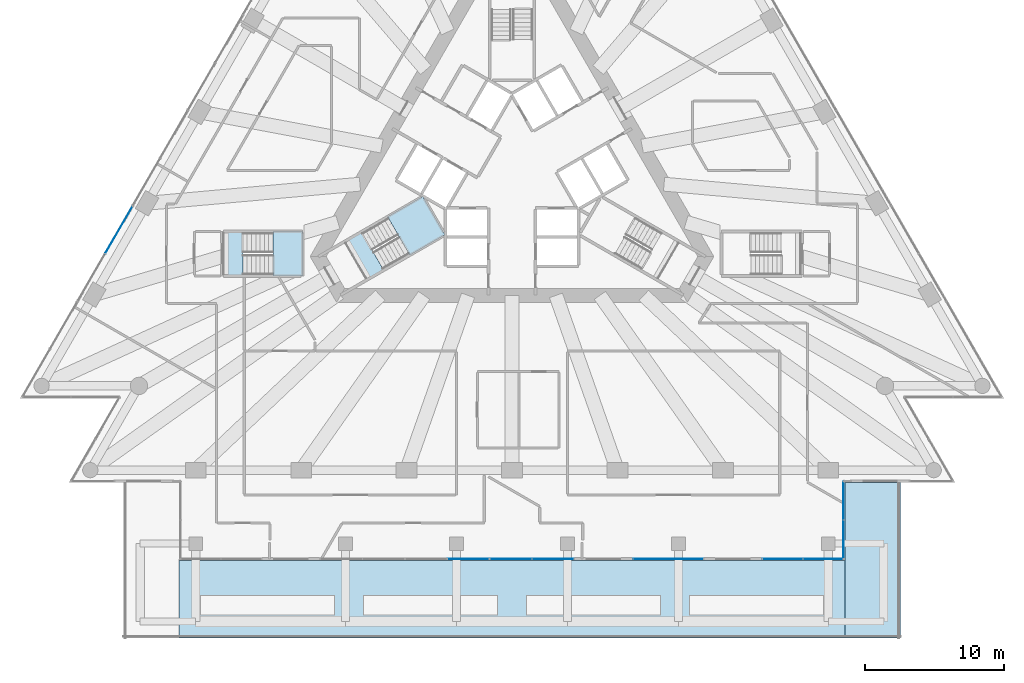
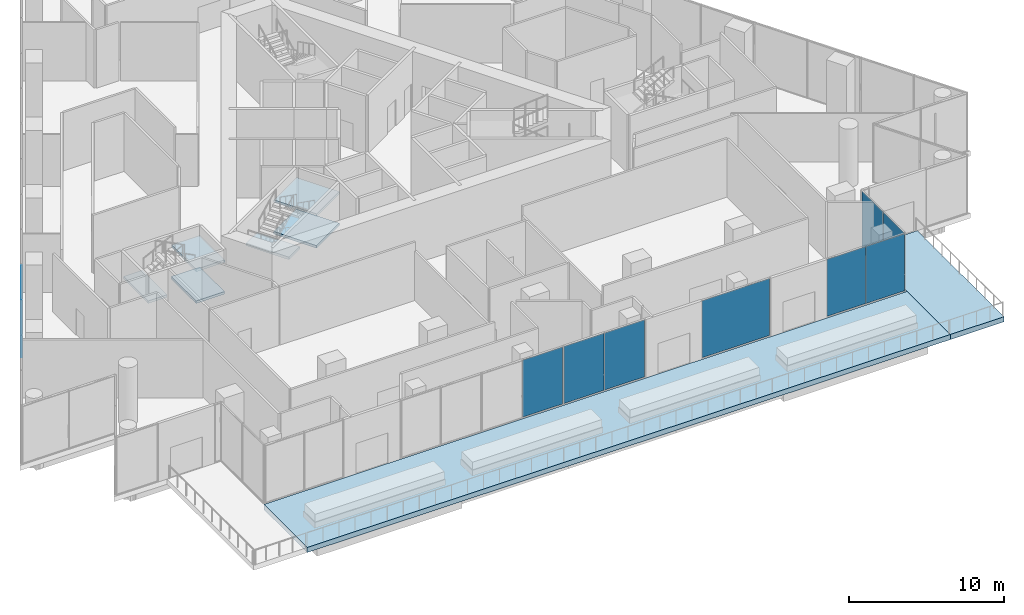
# One storey, part 22 of 32: 9 plates, 8 slabs, 8 elements without a shape of their own.
"""IFC4 building model written with IfcOpenShell, lengths in metres."""

from ifc_helpers import new_model, si_unit, direction, frame, origin, origin_2d, place, context, subcontext, project, spatial, polyline, rectangle, outline, extrude, material, layer, layer_set, layer_usage, type_object, element, aggregate, save


model = new_model("IFC4")

# Units and contexts
model_context = context("Model", 3, precision=1e-05, world=origin(), true_north=direction((0.0, 1.0)))
body_context = subcontext(model_context, "Body", "Model", "MODEL_VIEW")
ifc_project = project(units=[si_unit("LENGTHUNIT", "METRE"), si_unit("AREAUNIT", "SQUARE_METRE"), si_unit("VOLUMEUNIT", "CUBIC_METRE"), si_unit("PLANEANGLEUNIT", "RADIAN"), si_unit("MASSUNIT", "GRAM", prefix="KILO")], contexts=[model_context])

# Site, building, storey
site_placement = place(None, origin())
site = spatial("IfcSite", under=ifc_project, at=site_placement, CompositionType="ELEMENT")
building_placement = place(site_placement, origin())
building = spatial("IfcBuilding", under=site, at=building_placement, Name="Triada Interchange Tower", CompositionType="ELEMENT")
storey_placement = place(building_placement, frame((0.0, 0.0, 25.300048828125)))
storey = spatial("IfcBuildingStorey", under=building, at=storey_placement, Name="L04", CompositionType="ELEMENT", Elevation=25.300048828125)

# Curtain wall, plate
ifc_material_1 = material(Name="Aluminium framed glazing", Category="aluminium")
ifc_layer_1 = layer(ifc_material_1, 0.199951171875)
ifc_layer_set_1 = layer_set([ifc_layer_1], Name="Curtain wall Winter garden glazing")
curtain_wall_type = type_object("IfcCurtainWallType", Name="Curtain wall Winter garden glazing", PredefinedType="NOTDEFINED", material=ifc_layer_set_1)
curtain_wall_1_placement = place(storey_placement, origin())
curtain_wall_1 = element("IfcCurtainWall", 1, at=curtain_wall_1_placement, inside=storey, type_object=curtain_wall_type, Name="Winter garden glazing CW003 L04", PredefinedType="NOTDEFINED")
ifc_material_2 = material(Name="Insulated glazing unit", Category="glass")
ifc_layer_2 = layer(ifc_material_2, 0.02392578125)
ifc_layer_set_2 = layer_set([ifc_layer_2], Name="Glazing panel Winter garden glazing 24")
plate_type = type_object("IfcPlateType", Name="Glazing panel Winter garden glazing 24", PredefinedType="CURTAIN_PANEL", material=ifc_layer_set_2)
plate_1_placement = place(storey_placement, frame((-3.15380859375, -28.0, 0.050048828125), z_axis=(0.0, 0.0, 1.0), x_axis=(1.0, 0.0, 0.0)))
plate_1 = element("IfcPlate", 2, at=plate_1_placement, type_object=plate_type, Name="CW003 panel 2.1", PredefinedType="CURTAIN_PANEL", context=body_context, shape_type="SweptSolid", body=[
    extrude(rectangle(XDim=2.9755859375, YDim=0.02392578125, at=origin_2d()), origin(), (0.0, 0.0, 1.0), 4.5),
])
aggregate(curtain_wall_1, [plate_1])

# Curtain wall, plates
curtain_wall_2_placement = place(storey_placement, origin())
curtain_wall_2 = element("IfcCurtainWall", 3, at=curtain_wall_2_placement, inside=storey, type_object=curtain_wall_type, Name="Winter garden glazing CW004 L04", PredefinedType="NOTDEFINED")
plate_2_placement = place(storey_placement, frame((-0.06689453125, -28.0, 0.050048828125), z_axis=(0.0, 0.0, 1.0), x_axis=(1.0, 0.0, 0.0)))
plate_2 = element("IfcPlate", 4, at=plate_2_placement, type_object=plate_type, Name="CW004 panel 1.1", PredefinedType="CURTAIN_PANEL", context=body_context, shape_type="SweptSolid", body=[
    extrude(rectangle(XDim=2.97802734375, YDim=0.02392578125, at=origin_2d()), origin(), (0.0, 0.0, 1.0), 4.5),
])
plate_3_placement = place(storey_placement, frame((2.9609375, -28.0, 0.050048828125), z_axis=(0.0, 0.0, 1.0), x_axis=(1.0, 0.0, 0.0)))
plate_3 = element("IfcPlate", 5, at=plate_3_placement, type_object=plate_type, Name="CW004 panel 2.1", PredefinedType="CURTAIN_PANEL", context=body_context, shape_type="SweptSolid", body=[
    extrude(rectangle(XDim=2.97802734375, YDim=0.02392578125, at=origin_2d()), origin(), (0.0, 0.0, 1.0), 4.5),
])
aggregate(curtain_wall_2, [plate_2, plate_3])

# Curtain wall, plate
curtain_wall_3_placement = place(storey_placement, origin())
curtain_wall_3 = element("IfcCurtainWall", 6, at=curtain_wall_3_placement, inside=storey, type_object=curtain_wall_type, Name="Winter garden glazing CW005 L04", PredefinedType="NOTDEFINED")
plate_4_placement = place(storey_placement, frame((11.2666015625, -28.0, 0.050048828125), z_axis=(0.0, 0.0, 1.0), x_axis=(1.0, 0.0, 0.0)))
plate_4 = element("IfcPlate", 7, at=plate_4_placement, type_object=plate_type, Name="CW005 panel 1.1", PredefinedType="CURTAIN_PANEL", context=body_context, shape_type="SweptSolid", body=[
    extrude(rectangle(XDim=5.032958984375, YDim=0.02392578125, at=origin_2d()), origin(), (0.0, 0.0, 1.0), 4.5),
])
aggregate(curtain_wall_3, [plate_4])

# Curtain wall, plates
curtain_wall_4_placement = place(storey_placement, origin())
curtain_wall_4 = element("IfcCurtainWall", 8, at=curtain_wall_4_placement, inside=storey, type_object=curtain_wall_type, Name="Winter garden glazing CW006 L04", PredefinedType="NOTDEFINED")
plate_5_placement = place(storey_placement, frame((19.51220703125, -28.0, 0.050048828125), z_axis=(0.0, 0.0, 1.0), x_axis=(1.0, 0.0, 0.0)))
plate_5 = element("IfcPlate", 9, at=plate_5_placement, type_object=plate_type, Name="CW006 panel 1.1", PredefinedType="CURTAIN_PANEL", context=body_context, shape_type="SweptSolid", body=[
    extrude(rectangle(XDim=2.8583984375, YDim=0.02392578125, at=origin_2d()), origin(), (0.0, 0.0, 1.0), 4.5),
])
plate_6_placement = place(storey_placement, frame((22.420654296875, -28.0, 0.050048828125), z_axis=(0.0, 0.0, 1.0), x_axis=(1.0, 0.0, 0.0)))
plate_6 = element("IfcPlate", 10, at=plate_6_placement, type_object=plate_type, Name="CW006 panel 2.1", PredefinedType="CURTAIN_PANEL", context=body_context, shape_type="SweptSolid", body=[
    extrude(rectangle(XDim=2.8583984375, YDim=0.02392578125, at=origin_2d()), origin(), (0.0, 0.0, 1.0), 4.5),
])
aggregate(curtain_wall_4, [plate_5, plate_6])

curtain_wall_5_placement = place(storey_placement, origin())
curtain_wall_5 = element("IfcCurtainWall", 11, at=curtain_wall_5_placement, inside=storey, type_object=curtain_wall_type, Name="Winter garden glazing CW007 L04", PredefinedType="NOTDEFINED")
plate_7_placement = place(storey_placement, frame((23.89990234375, -26.58740234375, 0.050048828125), z_axis=(0.0, 0.0, 1.0), x_axis=(0.0, 1.0, 0.0)))
plate_7 = element("IfcPlate", 12, at=plate_7_placement, type_object=plate_type, Name="CW007 panel 1.1", PredefinedType="CURTAIN_PANEL", context=body_context, shape_type="SweptSolid", body=[
    extrude(rectangle(XDim=2.72509765625, YDim=0.02392578125, at=origin_2d()), origin(), (0.0, 0.0, 1.0), 4.5),
])
plate_8_placement = place(storey_placement, frame((23.89990234375, -23.8125, 0.050048828125), z_axis=(0.0, 0.0, 1.0), x_axis=(0.0, 1.0, 0.0)))
plate_8 = element("IfcPlate", 13, at=plate_8_placement, type_object=plate_type, Name="CW007 panel 2.1", PredefinedType="CURTAIN_PANEL", context=body_context, shape_type="SweptSolid", body=[
    extrude(rectangle(XDim=2.72509765625, YDim=0.02392578125, at=origin_2d()), origin(), (0.0, 0.0, 1.0), 4.5),
])
aggregate(curtain_wall_5, [plate_7, plate_8])

# Curtain wall, plate
curtain_wall_6_placement = place(storey_placement, origin())
curtain_wall_6 = element("IfcCurtainWall", 14, at=curtain_wall_6_placement, inside=storey, type_object=curtain_wall_type, Name="Winter garden glazing CW028 L04", PredefinedType="NOTDEFINED")
plate_9_placement = place(storey_placement, frame((-28.345947265625, -4.2958984375, 0.050048828125), z_axis=(0.0, 0.0, 1.0), x_axis=(-0.499947913852, -0.866055473648, 0.0)))
plate_9 = element("IfcPlate", 15, at=plate_9_placement, type_object=plate_type, Name="CW028 panel 1.1", PredefinedType="CURTAIN_PANEL", context=body_context, shape_type="SweptSolid", body=[
    extrude(rectangle(XDim=3.892333984375, YDim=0.02392578125, at=origin_2d()), origin(), (0.0, 0.0, 1.0), 4.5),
])
aggregate(curtain_wall_6, [plate_9])

# Stair, slabs
ifc_material_3 = material(Name="Concrete C35/45", Category="concrete")
stair_type = type_object("IfcStairType", Name="HALF TURN STAIR 1400", PredefinedType="HALF_TURN_STAIR", material=ifc_material_3)
stair_1_placement = place(storey_placement, origin())
stair_1 = element("IfcStair", 16, at=stair_1_placement, inside=storey, type_object=stair_type, Name="Exit stair S04-2", PredefinedType="HALF_TURN_STAIR")
ifc_layer_3 = layer(ifc_material_3, 0.199951171875)
ifc_layer_set_3 = layer_set([ifc_layer_3], Name="STAIR LANDING 200")
slab_type_1 = type_object("IfcSlabType", Name="STAIR LANDING 200", PredefinedType="LANDING", material=ifc_layer_set_3)
slab_1_placement = place(storey_placement, frame((0.0, 0.0, 1.050048828125)))
slab_1 = element("IfcSlab", 17, at=slab_1_placement, type_object=slab_type_1, Name="S04-2 landing 1", PredefinedType="LANDING", context=body_context, shape_type="SweptSolid", body=[
    extrude(outline(polyline([(-6.428955078125, -1.864013671875), (-8.967041015625, -3.3291015625), (-7.366943359375, -6.10107421875), (-4.8291015625, -4.635986328125), (-6.428955078125, -1.864013671875)])), origin(), (0.0, 0.0, 1.0), 0.199951171875),
])
slab_2_placement = place(storey_placement, frame((0.0, 0.0, 3.550048828125)))
slab_2 = element("IfcSlab", 18, at=slab_2_placement, type_object=slab_type_1, Name="S04-2 landing 2", PredefinedType="LANDING", context=body_context, shape_type="SweptSolid", body=[
    extrude(outline(polyline([(-6.428955078125, -1.864013671875), (-8.967041015625, -3.3291015625), (-7.366943359375, -6.10107421875), (-4.8291015625, -4.635986328125), (-6.428955078125, -1.864013671875)])), origin(), (0.0, 0.0, 1.0), 0.199951171875),
])
slab_3_placement = place(storey_placement, frame((0.0, 0.0, 2.300048828125)))
slab_3 = element("IfcSlab", 19, at=slab_3_placement, type_object=slab_type_1, Name="S04-2 landing 3", PredefinedType="LANDING", context=body_context, shape_type="SweptSolid", body=[
    extrude(outline(polyline([(-10.845947265625, -4.4140625), (-12.05810546875, -5.114013671875), (-10.4580078125, -7.885986328125), (-9.24609375, -7.18603515625), (-10.845947265625, -4.4140625)])), origin(), (0.0, 0.0, 1.0), 0.199951171875),
])
aggregate(stair_1, [slab_1, slab_2, slab_3])

stair_2_placement = place(storey_placement, origin())
stair_2 = element("IfcStair", 20, at=stair_2_placement, inside=storey, type_object=stair_type, Name="Exit stair S04-6", PredefinedType="HALF_TURN_STAIR")
slab_4_placement = place(storey_placement, frame((0.0, 0.0, 1.050048828125)))
slab_4 = element("IfcSlab", 21, at=slab_4_placement, type_object=slab_type_1, Name="S04-6 landing 1", PredefinedType="LANDING", context=body_context, shape_type="SweptSolid", body=[
    extrude(outline(polyline([(-15.10009765625, -4.39990234375), (-17.22998046875, -4.39990234375), (-17.22998046875, -7.60009765625), (-15.10009765625, -7.60009765625), (-15.10009765625, -4.39990234375)])), origin(), (0.0, 0.0, 1.0), 0.199951171875),
])
slab_5_placement = place(storey_placement, frame((0.0, 0.0, 3.550048828125)))
slab_5 = element("IfcSlab", 22, at=slab_5_placement, type_object=slab_type_1, Name="S04-6 landing 2", PredefinedType="LANDING", context=body_context, shape_type="SweptSolid", body=[
    extrude(outline(polyline([(-15.10009765625, -4.39990234375), (-17.22998046875, -4.39990234375), (-17.22998046875, -7.60009765625), (-15.10009765625, -7.60009765625), (-15.10009765625, -4.39990234375)])), origin(), (0.0, 0.0, 1.0), 0.199951171875),
])
slab_6_placement = place(storey_placement, frame((0.0, 0.0, 2.300048828125)))
slab_6 = element("IfcSlab", 23, at=slab_6_placement, type_object=slab_type_1, Name="S04-6 landing 3", PredefinedType="LANDING", context=body_context, shape_type="SweptSolid", body=[
    extrude(outline(polyline([(-19.39990234375, -4.39990234375), (-20.800048828125, -4.39990234375), (-20.800048828125, -7.60009765625), (-19.39990234375, -7.60009765625), (-19.39990234375, -4.39990234375)])), origin(), (0.0, 0.0, 1.0), 0.199951171875),
])
aggregate(stair_2, [slab_4, slab_5, slab_6])

# Slabs
ifc_material_4 = material(Name="Concrete C30/37 paving slab", Category="concrete")
ifc_layer_4 = layer(ifc_material_4, 0.0400390625, Name="Paving slab")
ifc_material_5 = material(Name="Drainage mat")
ifc_layer_5 = layer(ifc_material_5, 0.02490234375, Name="Drainage layer")
ifc_material_6 = material(Name="Bituminous membrane")
ifc_layer_6 = layer(ifc_material_6, 0.0048828125, Name="Waterproof membrane")
ifc_material_7 = material(Name="Mineral wool")
ifc_layer_7 = layer(ifc_material_7, 0.080078125, Name="Thermal insulation")
ifc_material_8 = material(Name="Screed CT-C25-F4")
ifc_layer_8 = layer(ifc_material_8, 0.050048828125, Name="Screed to falls")
ifc_material_9 = material(Name="Concrete C40/50", Category="concrete")
ifc_layer_9 = layer(ifc_material_9, 0.199951171875, Name="Reinforced concrete slab")
ifc_layer_set_4 = layer_set([ifc_layer_4, ifc_layer_5, ifc_layer_6, ifc_layer_7, ifc_layer_8, ifc_layer_9], Name="Terrace slab 400")
ifc_layer_usage = layer_usage(ifc_layer_set_4, "AXIS3", "POSITIVE", 0.0)
slab_type_2 = type_object("IfcSlabType", Name="Terrace slab 400", PredefinedType="FLOOR", material=ifc_layer_set_4)
slab_7_placement = place(storey_placement, frame((0.0, 0.0, -0.400146484375)))
element("IfcSlab", 24, at=slab_7_placement, inside=storey, type_object=slab_type_2, material=ifc_layer_usage, Name="Terrace slab L04 2", PredefinedType="FLOOR", context=body_context, shape_type="SweptSolid", body=[
    extrude(outline(polyline([(24.0, -33.699951171875), (28.0, -33.699951171875), (28.0, -22.5), (24.0, -22.5), (24.0, -33.699951171875)])), origin(), (0.0, 0.0, 1.0), 0.400146484375),
])
slab_8_placement = place(storey_placement, frame((0.0, 0.0, -0.400146484375)))
element("IfcSlab", 25, at=slab_8_placement, inside=storey, type_object=slab_type_2, material=ifc_layer_usage, Name="Terrace slab L04 3", PredefinedType="FLOOR", context=body_context, shape_type="SweptSolid", body=[
    extrude(outline(polyline([(-24.0, -33.699951171875), (24.0, -33.699951171875), (24.0, -28.10009765625), (-24.0, -28.10009765625), (-24.0, -33.699951171875)])), origin(), (0.0, 0.0, 1.0), 0.400146484375),
])

save(model, "model.ifc")
